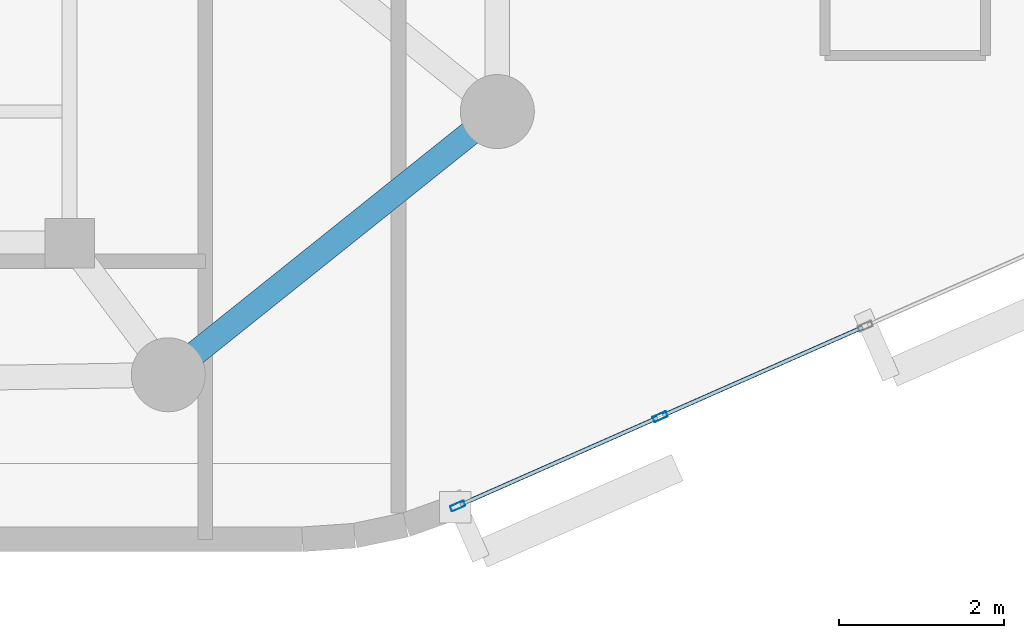
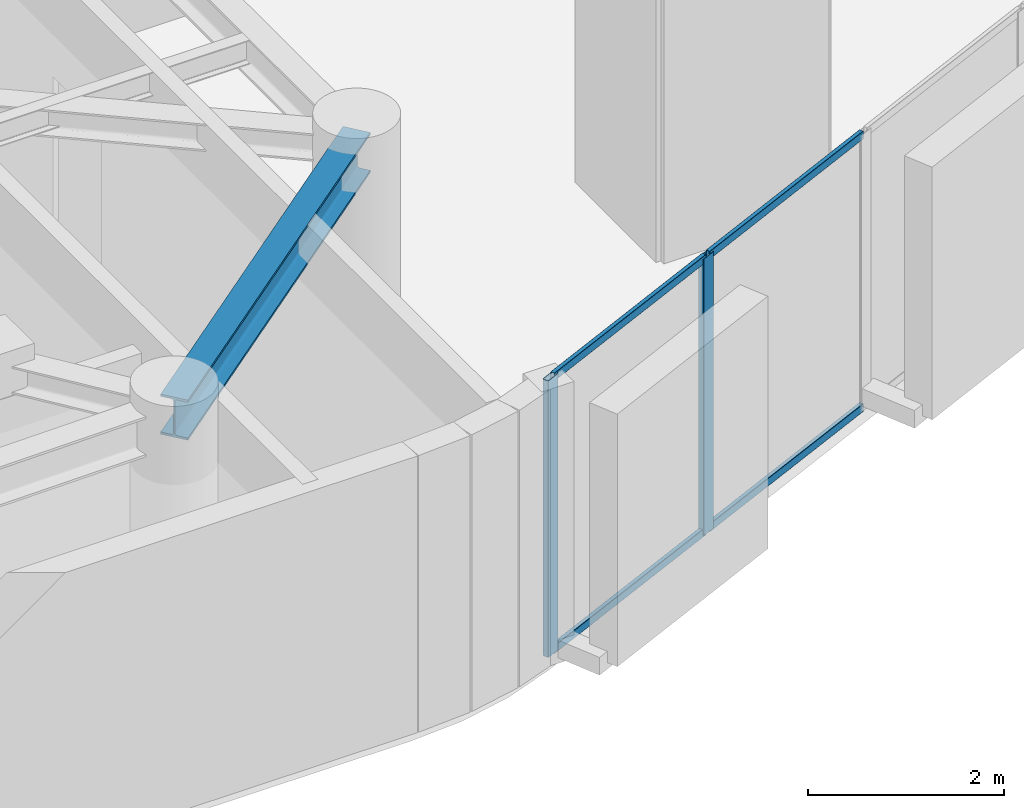
# One storey, part 2 of 13: 6 members, 1 beam, 1 element without a shape of its own.
"""IFC4 building model written with IfcOpenShell, lengths in metres."""

from ifc_helpers import new_model, si_unit, direction, frame, origin, origin_2d, place, context, subcontext, project, spatial, hollow_rectangle, i_section, extrude, material, layer, layer_set, material_profile, profile_set, type_object, element, aggregate, save


model = new_model("IFC4")

# Units and contexts
model_context = context("Model", 3, precision=1e-05, world=origin(), true_north=direction((0.0, 1.0)))
body_context = subcontext(model_context, "Body", "Model", "MODEL_VIEW")
ifc_project = project(units=[si_unit("LENGTHUNIT", "METRE"), si_unit("AREAUNIT", "SQUARE_METRE"), si_unit("VOLUMEUNIT", "CUBIC_METRE"), si_unit("PLANEANGLEUNIT", "RADIAN"), si_unit("MASSUNIT", "GRAM", prefix="KILO")], contexts=[model_context])

# Site, building, storey
site_placement = place(None, origin())
site = spatial("IfcSite", under=ifc_project, at=site_placement, CompositionType="ELEMENT")
building_placement = place(site_placement, origin())
building = spatial("IfcBuilding", under=site, at=building_placement, Name="An Khanh Terracotta Commons", CompositionType="ELEMENT")
storey_placement = place(building_placement, frame((0.0, 0.0, 266.10009765625)))
storey = spatial("IfcBuildingStorey", under=building, at=storey_placement, Name="L69", CompositionType="ELEMENT", Elevation=266.10009765625)

# Beam
ifc_material_1 = material(Name="Steel S355J2", Category="steel")
ifc_material_profile_1 = material_profile(ifc_material_1, i_section(OverallWidth=0.300048828125, OverallDepth=0.5, WebThickness=0.014404296875, FlangeThickness=0.028076171875, FilletRadius=0.027099609375, at=origin_2d()), Name="HEB500")
ifc_profile_set_1 = profile_set([ifc_material_profile_1], Name="Steel S355J2")
beam_type = type_object("IfcBeamType", Name="BM-HEB500", PredefinedType="BEAM", material=ifc_profile_set_1)
beam_placement = place(storey_placement, frame((59.39990234375, 12.800048828125, 3.199951171875), z_axis=(0.780873459249, 0.624689235253, 0.0), x_axis=(-0.624689235253, 0.780873459249, 0.0)))
element("IfcBeam", 1, at=beam_placement, inside=storey, type_object=beam_type, Name="L69 Perimeter Ring Spandrel 2", PredefinedType="BEAM", context=body_context, shape_type="SweptSolid", body=[
    extrude(i_section(OverallWidth=0.300048828125, OverallDepth=0.5, WebThickness=0.014404296875, FlangeThickness=0.028076171875, FilletRadius=0.027099609375, at=origin_2d()), origin(), (0.0, 0.0, 1.0), 5.12255859375),
])

# Curtain wall, members
ifc_material_2 = material(Name="Anodised Aluminium 6063-T6", Category="aluminium")
ifc_layer = layer(ifc_material_2, 0.2099609375, Name="Anodised Aluminium 6063-T6")
ifc_layer_set = layer_set([ifc_layer], Name="Anodised Aluminium 6063-T6")
curtain_wall_type = type_object("IfcCurtainWallType", Name="CW-SYS-03", PredefinedType="USERDEFINED", material=ifc_layer_set)
curtain_wall_placement = place(storey_placement, origin())
curtain_wall = element("IfcCurtainWall", 2, at=curtain_wall_placement, inside=storey, type_object=curtain_wall_type, Name="L69 CW-03 Unitised Curtain Wall CW-L69-08", ObjectType="UNITISED CURTAIN WALL", PredefinedType="USERDEFINED")
ifc_material_profile_2 = material_profile(ifc_material_2, hollow_rectangle(XDim=0.070068359375, YDim=0.179931640625, WallThickness=0.00390625, InnerFilletRadius=0.00390625, OuterFilletRadius=0.008056640625, at=origin_2d()), Name="RHS180x70x4")
ifc_profile_set_2 = profile_set([ifc_material_profile_2], Name="Anodised Aluminium 6063-T6")
member_type_1 = type_object("IfcMemberType", Name="CWM-RHS180x70x4", PredefinedType="MULLION", material=ifc_profile_set_2)
member_1_placement = place(storey_placement, frame((62.9189453125, 11.205078125, 0.0), z_axis=(0.0, 0.0, 1.0), x_axis=(-0.403676354285, 0.914901853201, 0.0)))
member_1 = element("IfcMember", 3, at=member_1_placement, type_object=member_type_1, Name="CW-03 mullion 1", PredefinedType="MULLION", context=body_context, shape_type="SweptSolid", body=[
    extrude(hollow_rectangle(XDim=0.070068359375, YDim=0.179931640625, WallThickness=0.00390625, InnerFilletRadius=0.00390625, OuterFilletRadius=0.008056640625, at=origin_2d()), origin(), (0.0, 0.0, 1.0), 3.449951171875),
])
member_2_placement = place(storey_placement, frame((65.37939453125, 12.290771484375, 0.0), z_axis=(0.0, 0.0, 1.0), x_axis=(-0.403676354285, 0.914901853201, 0.0)))
member_2 = element("IfcMember", 4, at=member_2_placement, type_object=member_type_1, Name="CW-03 mullion 2", PredefinedType="MULLION", context=body_context, shape_type="SweptSolid", body=[
    extrude(hollow_rectangle(XDim=0.070068359375, YDim=0.179931640625, WallThickness=0.00390625, InnerFilletRadius=0.00390625, OuterFilletRadius=0.008056640625, at=origin_2d()), origin(), (0.0, 0.0, 1.0), 3.449951171875),
])
ifc_material_profile_3 = material_profile(ifc_material_2, hollow_rectangle(XDim=0.050048828125, YDim=0.10009765625, WallThickness=0.003173828125, InnerFilletRadius=0.003173828125, OuterFilletRadius=0.00634765625, at=origin_2d()), Name="RHS100x50x3.2")
ifc_profile_set_3 = profile_set([ifc_material_profile_3], Name="Anodised Aluminium 6063-T6")
member_type_2 = type_object("IfcMemberType", Name="CWT-RHS100x50x3.2", PredefinedType="USERDEFINED", material=ifc_profile_set_3)
member_3_placement = place(storey_placement, frame((62.950927734375, 11.21923828125, 0.02490234375), z_axis=(0.914903627858, 0.403672332137, 0.0), x_axis=(-0.403672332137, 0.914903627858, 0.0)))
member_3 = element("IfcMember", 5, at=member_3_placement, type_object=member_type_2, Name="CW-03 transom 1.1", ObjectType="TRANSOM", PredefinedType="USERDEFINED", context=body_context, shape_type="SweptSolid", body=[
    extrude(hollow_rectangle(XDim=0.050048828125, YDim=0.10009765625, WallThickness=0.003173828125, InnerFilletRadius=0.003173828125, OuterFilletRadius=0.00634765625, at=origin_2d()), origin(), (0.0, 0.0, 1.0), 2.619384765625),
])
member_4_placement = place(storey_placement, frame((62.950927734375, 11.21923828125, 3.4248046875), z_axis=(0.914903627858, 0.403672332137, 0.0), x_axis=(-0.403672332137, 0.914903627858, 0.0)))
member_4 = element("IfcMember", 6, at=member_4_placement, type_object=member_type_2, Name="CW-03 transom 1.2", ObjectType="TRANSOM", PredefinedType="USERDEFINED", context=body_context, shape_type="SweptSolid", body=[
    extrude(hollow_rectangle(XDim=0.050048828125, YDim=0.10009765625, WallThickness=0.003173828125, InnerFilletRadius=0.003173828125, OuterFilletRadius=0.00634765625, at=origin_2d()), origin(), (0.0, 0.0, 1.0), 2.619384765625),
])
member_5_placement = place(storey_placement, frame((65.41162109375, 12.304931640625, 0.02490234375), z_axis=(0.914896820753, 0.403687759755, 0.0), x_axis=(-0.403687759755, 0.914896820753, 0.0)))
member_5 = element("IfcMember", 7, at=member_5_placement, type_object=member_type_2, Name="CW-03 transom 2.1", ObjectType="TRANSOM", PredefinedType="USERDEFINED", context=body_context, shape_type="SweptSolid", body=[
    extrude(hollow_rectangle(XDim=0.050048828125, YDim=0.10009765625, WallThickness=0.003173828125, InnerFilletRadius=0.003173828125, OuterFilletRadius=0.00634765625, at=origin_2d()), origin(), (0.0, 0.0, 1.0), 2.654296875),
])
member_6_placement = place(storey_placement, frame((65.41162109375, 12.304931640625, 3.4248046875), z_axis=(0.914896820753, 0.403687759755, 0.0), x_axis=(-0.403687759755, 0.914896820753, 0.0)))
member_6 = element("IfcMember", 8, at=member_6_placement, type_object=member_type_2, Name="CW-03 transom 2.2", ObjectType="TRANSOM", PredefinedType="USERDEFINED", context=body_context, shape_type="SweptSolid", body=[
    extrude(hollow_rectangle(XDim=0.050048828125, YDim=0.10009765625, WallThickness=0.003173828125, InnerFilletRadius=0.003173828125, OuterFilletRadius=0.00634765625, at=origin_2d()), origin(), (0.0, 0.0, 1.0), 2.654296875),
])
aggregate(curtain_wall, [member_1, member_2, member_3, member_4, member_5, member_6])

save(model, "model.ifc")
